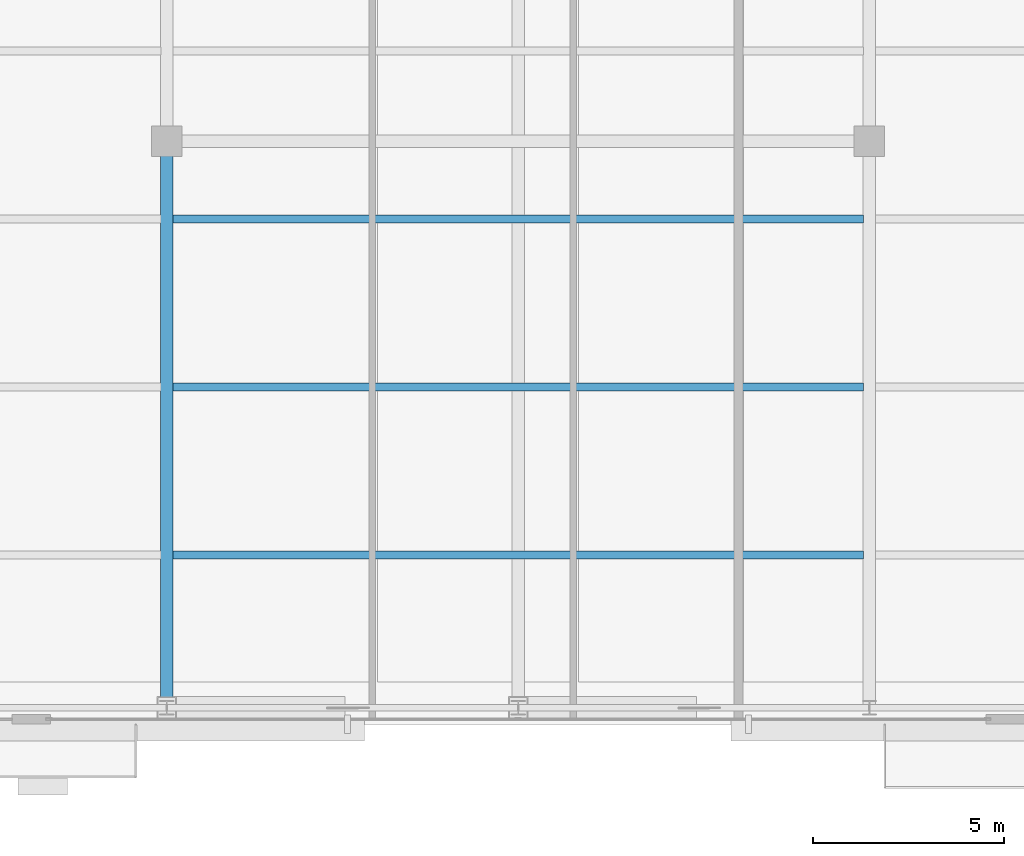
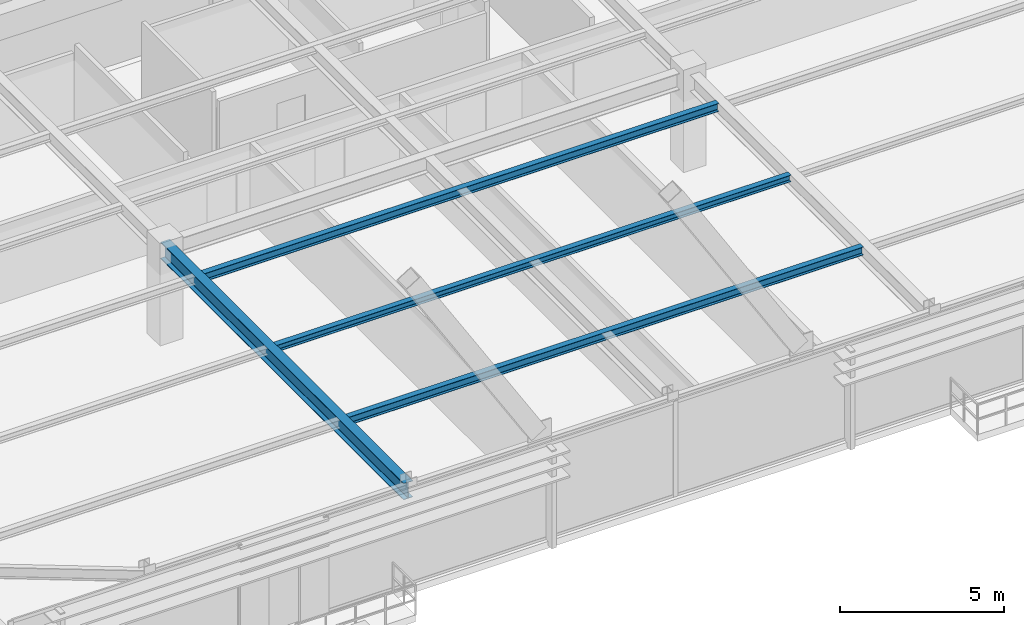
# One storey, part 9 of 32: 4 beams.
"""IFC4 building model written with IfcOpenShell, lengths in metres."""

from ifc_helpers import new_model, si_unit, direction, frame, origin, origin_2d, place, context, subcontext, project, spatial, i_section, extrude, source, transform, mapped, material, material_profile, profile_set, type_object, type_shapes, element, save


model = new_model("IFC4")

# Units and contexts
model_context = context("Model", 3, precision=1e-05, world=origin(), true_north=direction((0.0, 1.0)))
body_context = subcontext(model_context, "Body", "Model", "MODEL_VIEW")
ifc_project = project(units=[si_unit("LENGTHUNIT", "METRE"), si_unit("AREAUNIT", "SQUARE_METRE"), si_unit("VOLUMEUNIT", "CUBIC_METRE"), si_unit("PLANEANGLEUNIT", "RADIAN"), si_unit("MASSUNIT", "GRAM", prefix="KILO")], contexts=[model_context])

# Site, building, storey
site_placement = place(None, origin())
site = spatial("IfcSite", under=ifc_project, at=site_placement, CompositionType="ELEMENT")
building_placement = place(site_placement, origin())
building = spatial("IfcBuilding", under=site, at=building_placement, Name="Varnel Quay Broadcast Tower", CompositionType="ELEMENT")
storey_placement = place(building_placement, frame((0.0, 0.0, 164.800048828125)))
storey = spatial("IfcBuildingStorey", under=building, at=storey_placement, Name="L40", CompositionType="ELEMENT", Elevation=164.800048828125)

# Beams
ifc_material = material(Name="Structural Steel CSA G40.21 350W", Category="steel")
ifc_material_profile_1 = material_profile(ifc_material, i_section(OverallWidth=0.324951171875, OverallDepth=0.615966796875, WebThickness=0.013916015625, FlangeThickness=0.021484375, FilletRadius=0.01611328125, at=origin_2d()), Name="W610X174")
ifc_profile_set_1 = profile_set([ifc_material_profile_1], Name="Structural Steel CSA G40.21 350W")
beam_type_1 = type_object("IfcBeamType", Name="Girder_W610X174", PredefinedType="BEAM", material=ifc_profile_set_1)
shared_shape_1 = source(origin(), body_context, "Body", "SweptSolid", [
    extrude(i_section(OverallWidth=0.324951171875, OverallDepth=0.615966796875, WebThickness=0.013916015625, FlangeThickness=0.021484375, FilletRadius=0.01611328125, at=origin_2d()), origin(), (0.0, 0.0, 1.0), 14.800048828125),
])
type_shapes(beam_type_1, [shared_shape_1])
beam_1_placement = place(storey_placement, frame((24.800048828125, 7.669921875, 3.241943359375), z_axis=(0.0, 1.0, 0.0), x_axis=(-1.0, 0.0, 0.0)))
element("IfcBeam", 1, at=beam_1_placement, inside=storey, type_object=beam_type_1, Name="L40 Primary Girder TC-S2-IC-01", PredefinedType="BEAM", context=body_context, shape_type="MappedRepresentation", body=[
    mapped(shared_shape_1, transform((0.0, 0.0, 0.0), x_axis=(1.0, 0.0, 0.0), y_axis=(0.0, 1.0, 0.0), z_axis=(0.0, 0.0, 1.0), scale=1.0)),
])
ifc_material_profile_2 = material_profile(ifc_material, i_section(OverallWidth=0.202880859375, OverallDepth=0.302978515625, WebThickness=0.007568359375, FlangeThickness=0.01318359375, FilletRadius=0.011962890625, at=origin_2d()), Name="W310X60")
ifc_profile_set_2 = profile_set([ifc_material_profile_2], Name="Structural Steel CSA G40.21 350W")
beam_type_2 = type_object("IfcBeamType", Name="Beam_W310X60", PredefinedType="JOIST", material=ifc_profile_set_2)
shared_shape_2 = source(origin(), body_context, "Body", "SweptSolid", [
    extrude(i_section(OverallWidth=0.202880859375, OverallDepth=0.302978515625, WebThickness=0.007568359375, FlangeThickness=0.01318359375, FilletRadius=0.011962890625, at=origin_2d()), origin(), (0.0, 0.0, 1.0), 18.0849609375),
])
type_shapes(beam_type_2, [shared_shape_2])
for number, where, z_axis, x_axis, name in (
    (2, (24.95751953125, 11.64990234375, 3.3984375), (1.0, 0.0, 0.0), (0.0, 1.0, 0.0), "L40 Central Floor Joist 1"),
    (3, (24.95751953125, 20.449951171875, 3.3984375), (1.0, 0.0, 0.0), (0.0, 1.0, 0.0), "L40 Central Floor Joist 3"),
):
    element("IfcBeam", number, at=place(storey_placement, frame(where, z_axis=z_axis, x_axis=x_axis)), inside=storey, type_object=beam_type_2, Name=name, PredefinedType="JOIST", context=body_context, shape_type="MappedRepresentation", body=[
        mapped(shared_shape_2, transform((0.0, 0.0, 0.0), x_axis=(1.0, 0.0, 0.0), y_axis=(0.0, 1.0, 0.0), z_axis=(0.0, 0.0, 1.0), scale=1.0)),
    ])
ifc_material_profile_3 = material_profile(ifc_material, i_section(OverallWidth=0.201904296875, OverallDepth=0.2470703125, WebThickness=0.00732421875, FlangeThickness=0.010986328125, FilletRadius=0.010986328125, at=origin_2d()), Name="W250X49")
ifc_profile_set_3 = profile_set([ifc_material_profile_3], Name="Structural Steel CSA G40.21 350W")
beam_type_3 = type_object("IfcBeamType", Name="Beam_W250X49", PredefinedType="JOIST", material=ifc_profile_set_3)
shared_shape_3 = source(origin(), body_context, "Body", "SweptSolid", [
    extrude(i_section(OverallWidth=0.201904296875, OverallDepth=0.2470703125, WebThickness=0.00732421875, FlangeThickness=0.010986328125, FilletRadius=0.010986328125, at=origin_2d()), origin(), (0.0, 0.0, 1.0), 18.0849609375),
])
type_shapes(beam_type_3, [shared_shape_3])
beam_2_placement = place(storey_placement, frame((24.95751953125, 16.050048828125, 3.426513671875), z_axis=(1.0, 0.0, 0.0), x_axis=(0.0, 1.0, 0.0)))
element("IfcBeam", 4, at=beam_2_placement, inside=storey, type_object=beam_type_3, Name="L40 Central Floor Joist 2", PredefinedType="JOIST", context=body_context, shape_type="MappedRepresentation", body=[
    mapped(shared_shape_3, transform((0.0, 0.0, 0.0), x_axis=(1.0, 0.0, 0.0), y_axis=(0.0, 1.0, 0.0), z_axis=(0.0, 0.0, 1.0), scale=1.0)),
])

save(model, "model.ifc")
